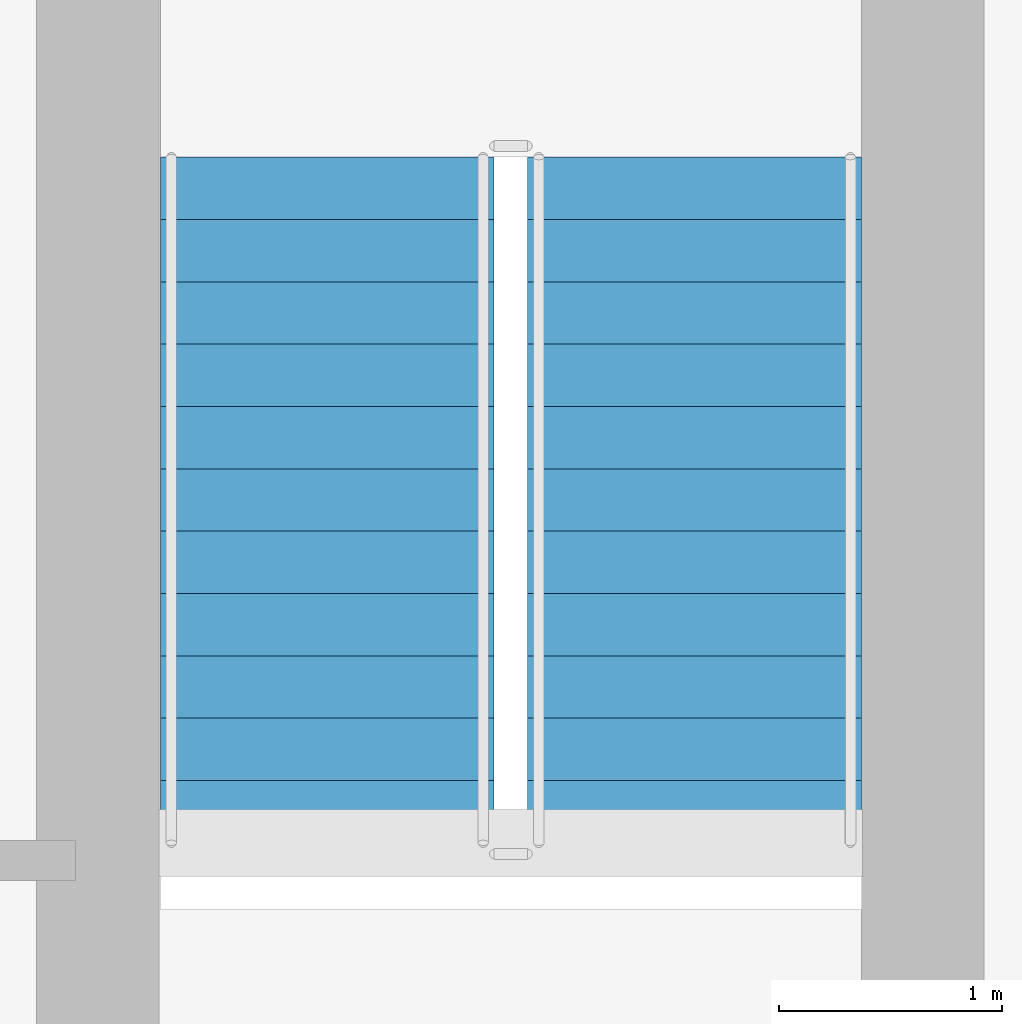
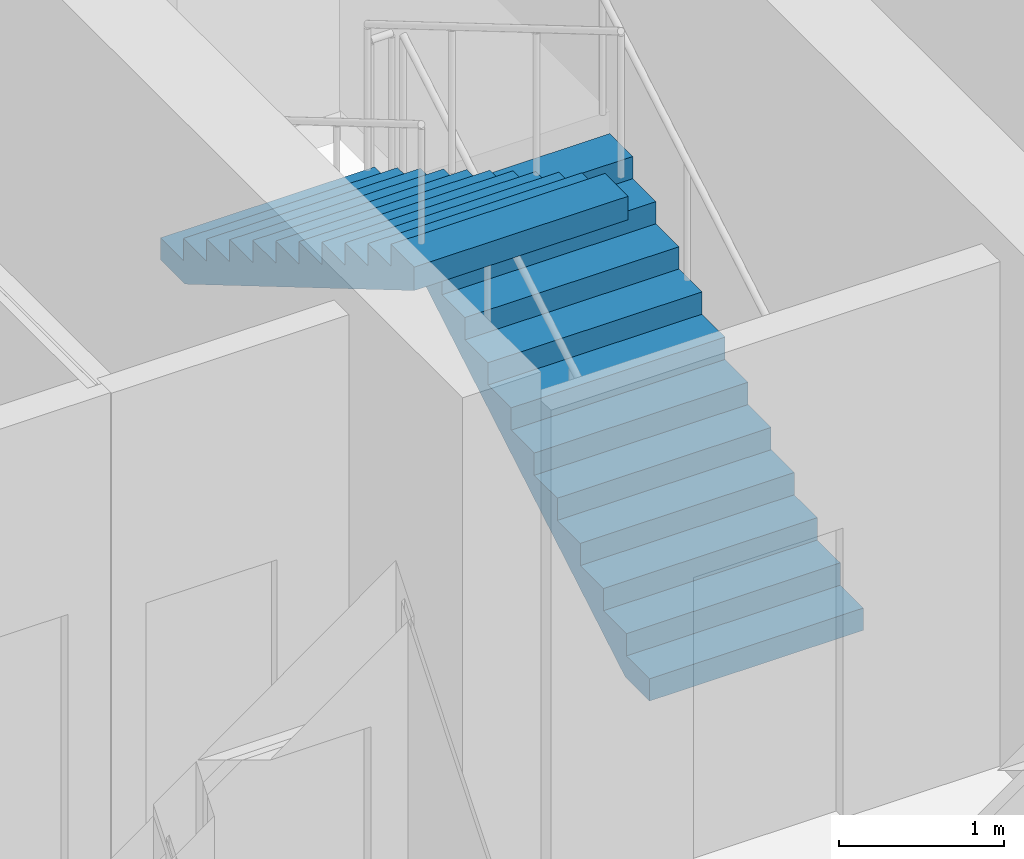
# One storey, part 9 of 13: 2 stair flights, 1 element without a shape of its own.
"""IFC4 building model written with IfcOpenShell, lengths in metres."""

from ifc_helpers import new_model, si_unit, direction, frame, origin, place, context, subcontext, project, spatial, polyline, outline, extrude, material, type_object, element, aggregate, save


model = new_model("IFC4")

# Units and contexts
model_context = context("Model", 3, precision=1e-05, world=origin(), true_north=direction((0.0, 1.0)))
body_context = subcontext(model_context, "Body", "Model", "MODEL_VIEW")
ifc_project = project(units=[si_unit("LENGTHUNIT", "METRE"), si_unit("AREAUNIT", "SQUARE_METRE"), si_unit("VOLUMEUNIT", "CUBIC_METRE"), si_unit("PLANEANGLEUNIT", "RADIAN"), si_unit("MASSUNIT", "GRAM", prefix="KILO")], contexts=[model_context])

# Site, building, storey
site_placement = place(None, origin())
site = spatial("IfcSite", under=ifc_project, at=site_placement, CompositionType="ELEMENT")
building_placement = place(site_placement, origin())
building = spatial("IfcBuilding", under=site, at=building_placement, Name="Kefirva Bronze Tower", CompositionType="ELEMENT")
storey_placement = place(building_placement, frame((0.0, 0.0, 311.85009765625)))
storey = spatial("IfcBuildingStorey", under=building, at=storey_placement, Name="L76", CompositionType="ELEMENT", Elevation=311.85009765625)

# Stair, stair flights
ifc_material = material(Name="Concrete C40/50", Category="concrete")
stair_type = type_object("IfcStairType", Name="RC Dogleg Protected Stair 24R", PredefinedType="HALF_TURN_STAIR", material=ifc_material)
stair_placement = place(storey_placement, origin())
stair = element("IfcStair", 1, at=stair_placement, inside=storey, type_object=stair_type, Name="L76 Protected Exit Stair 2", PredefinedType="HALF_TURN_STAIR")
stair_flight_type = type_object("IfcStairFlightType", Name="RC Straight Stair Flight 24R", PredefinedType="STRAIGHT", material=ifc_material)
stair_flight_1_placement = place(storey_placement, frame((22.300048828125, 38.699951171875, 0.0), z_axis=(0.0, 0.0, 1.0), x_axis=(0.0, 1.0, 0.0)))
stair_flight_1 = element("IfcStairFlight", 2, at=stair_flight_1_placement, type_object=stair_flight_type, Name="ST-2 flight 1", NumberOfRisers=12, NumberOfTreads=11, PredefinedType="STRAIGHT", RiserHeight=0.165, TreadLength=0.28, context=body_context, shape_type="SweptSolid", body=[
    extrude(outline(polyline([(0.0, 0.0), (0.0, 0.1650390625), (0.280029296875, 0.1650390625), (0.280029296875, 0.330078125), (0.56005859375, 0.330078125), (0.56005859375, 0.4951171875), (0.840087890625, 0.4951171875), (0.840087890625, 0.659912109375), (1.1201171875, 0.659912109375), (1.1201171875, 0.824951171875), (1.39990234375, 0.824951171875), (1.39990234375, 0.989990234375), (1.679931640625, 0.989990234375), (1.679931640625, 1.155029296875), (1.9599609375, 1.155029296875), (1.9599609375, 1.320068359375), (2.239990234375, 1.320068359375), (2.239990234375, 1.485107421875), (2.52001953125, 1.485107421875), (2.52001953125, 1.64990234375), (2.800048828125, 1.64990234375), (2.800048828125, 1.81494140625), (3.080078125, 1.81494140625), (3.080078125, 1.97998046875), (3.080078125, 1.64111328125), (0.295166015625, 0.0), (0.0, 0.0)])), frame((0.0, 0.75, 0.0), z_axis=(0.0, -1.0, 0.0), x_axis=(1.0, 0.0, 0.0)), (0.0, 0.0, 1.0), 1.5),
])
stair_flight_2_placement = place(storey_placement, frame((20.64990234375, 41.780029296875, 1.97998046875), z_axis=(0.0, 0.0, 1.0), x_axis=(0.0, -1.0, 0.0)))
stair_flight_2 = element("IfcStairFlight", 3, at=stair_flight_2_placement, type_object=stair_flight_type, Name="ST-2 flight 2", NumberOfRisers=12, NumberOfTreads=11, PredefinedType="STRAIGHT", RiserHeight=0.165, TreadLength=0.28, context=body_context, shape_type="SweptSolid", body=[
    extrude(outline(polyline([(0.0, 0.0), (0.0, 0.1650390625), (0.280029296875, 0.1650390625), (0.280029296875, 0.330078125), (0.56005859375, 0.330078125), (0.56005859375, 0.4951171875), (0.840087890625, 0.4951171875), (0.840087890625, 0.659912109375), (1.1201171875, 0.659912109375), (1.1201171875, 0.824951171875), (1.39990234375, 0.824951171875), (1.39990234375, 0.989990234375), (1.679931640625, 0.989990234375), (1.679931640625, 1.155029296875), (1.9599609375, 1.155029296875), (1.9599609375, 1.320068359375), (2.239990234375, 1.320068359375), (2.239990234375, 1.485107421875), (2.52001953125, 1.485107421875), (2.52001953125, 1.64990234375), (2.800048828125, 1.64990234375), (2.800048828125, 1.81494140625), (3.080078125, 1.81494140625), (3.080078125, 1.97998046875), (3.080078125, 1.64111328125), (0.295166015625, 0.0), (0.0, 0.0)])), frame((0.0, 0.75, 0.0), z_axis=(0.0, -1.0, 0.0), x_axis=(1.0, 0.0, 0.0)), (0.0, 0.0, 1.0), 1.5),
])
aggregate(stair, [stair_flight_1, stair_flight_2])

save(model, "model.ifc")
